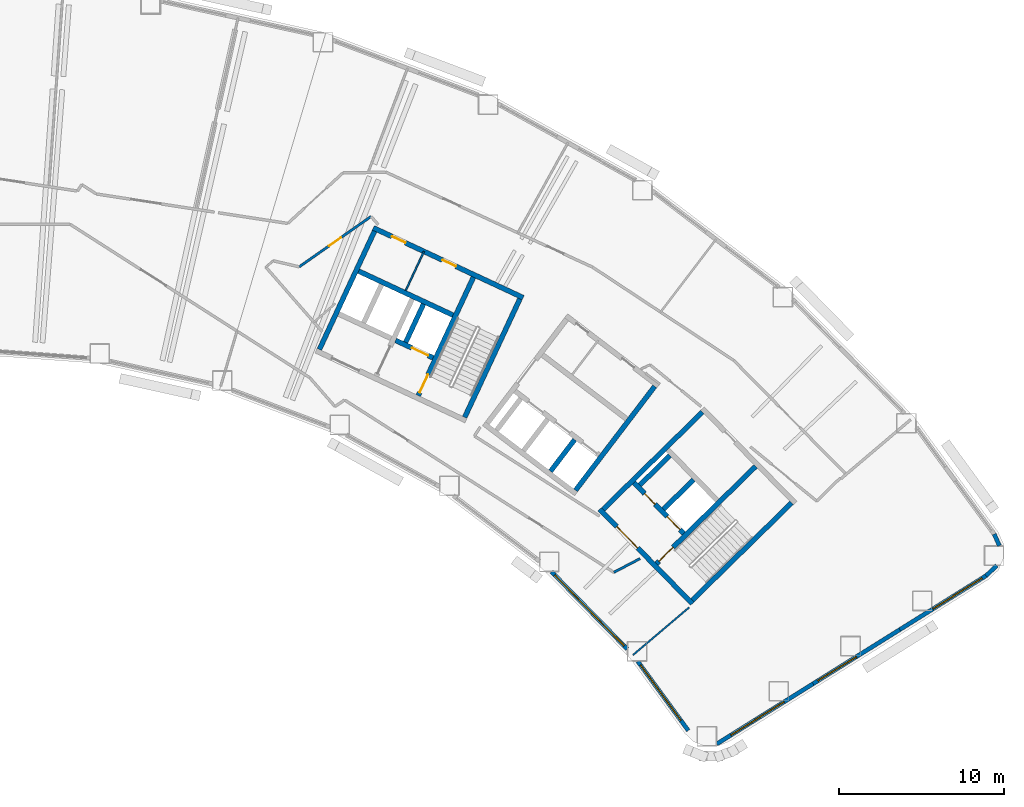
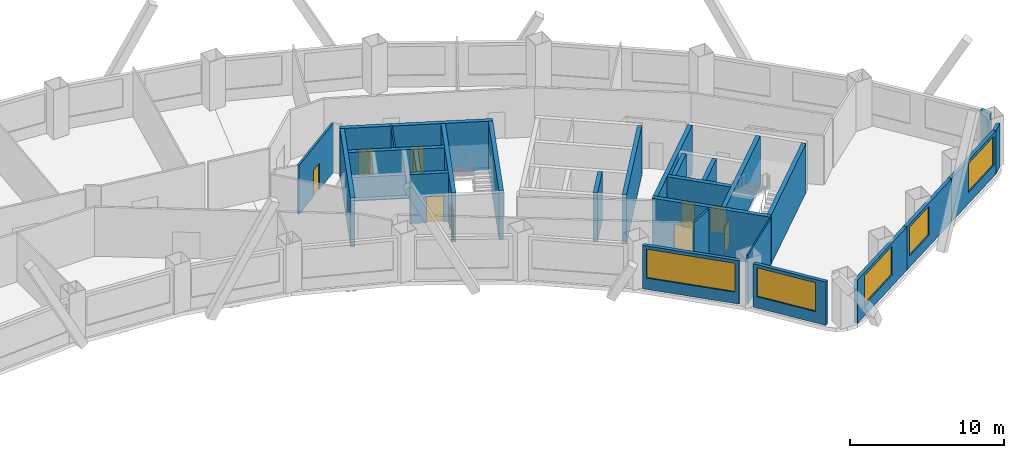
# One storey, part 6 of 11: 27 walls, 9 doors, 5 windows, 14 openings.
"""IFC4 building model written with IfcOpenShell, lengths in metres."""

import ifcopenshell
import ifcopenshell.guid

model = None  # the IFC model being written
_history = None  # IfcOwnerHistory: only IFC2X3 demands one
_inside = {}  # id of a spatial element -> (the spatial element, [elements in it])
_under = {}  # id of a project, library or spatial element -> (it, [spatial elements below it])
_declared = {}  # id of a project -> (the project, [libraries it declares])
_typed = {}  # id of a type object -> (the type object, [elements of that type])
_made_of = {}  # id of a material, layer set ... -> (it, [elements and type objects made of it])


def new_model(schema):
    """Start an empty IFC model of exactly this schema.

    Asked for "IFC4X3", IfcOpenShell would pick the latest addendum, in which some entities
    have other attributes; the version numbers below select the first issue.
    IFC2X3 requires an IfcOwnerHistory on every rooted entity: one is made here for all.
    """
    global model, _history
    if schema == "IFC4X3":
        model = ifcopenshell.file(schema_version=(4, 3, 0, 0))
    else:
        model = ifcopenshell.file(schema=schema)
    _inside.clear()
    _under.clear()
    _declared.clear()
    _typed.clear()
    _made_of.clear()
    _history = None
    if model.schema == "IFC2X3":
        org = make("IfcOrganization", Name="unknown")
        user = make(
            "IfcPersonAndOrganization",
            ThePerson=make("IfcPerson", FamilyName="unknown"),
            TheOrganization=org,
        )
        app = make(
            "IfcApplication",
            ApplicationDeveloper=org,
            Version="unknown",
            ApplicationFullName="unknown",
            ApplicationIdentifier="unknown",
        )
        _history = make(
            "IfcOwnerHistory",
            OwningUser=user,
            OwningApplication=app,
            ChangeAction="ADDED",
            CreationDate=0,
        )
    return model


def make(cls, **values):
    """One entity of the class cls with the attributes given. An attribute that is None is left unset."""
    return model.create_entity(
        cls, **{name: value for name, value in values.items() if value is not None}
    )


def rooted(cls, **values):
    """An entity with a GlobalId (a new one), such as an element, a storey or a relation."""
    return make(cls, GlobalId=ifcopenshell.guid.new(), OwnerHistory=_history, **values)


def si_unit(unit_type, name, prefix=None):
    """IfcSIUnit, for example si_unit("LENGTHUNIT", "METRE", prefix="MILLI")."""
    return make("IfcSIUnit", UnitType=unit_type, Prefix=prefix, Name=name)


def assignment(units):
    """IfcUnitAssignment: the units of a project."""
    return None if units is None else make("IfcUnitAssignment", Units=units)


def point(xyz):
    """IfcCartesianPoint."""
    return None if xyz is None else make("IfcCartesianPoint", Coordinates=xyz)


def direction(xyz):
    """IfcDirection."""
    return None if xyz is None else make("IfcDirection", DirectionRatios=xyz)


def frame(location, z_axis=None, x_axis=None):
    """IfcAxis2Placement3D, a coordinate frame: its origin and axes. An axis left out is left unset."""
    return make(
        "IfcAxis2Placement3D",
        Location=point(location),
        Axis=direction(z_axis),
        RefDirection=direction(x_axis),
    )


def frame_2d(location, x_axis=None):
    """IfcAxis2Placement2D, a coordinate frame in the plane: its origin and x axis."""
    return make(
        "IfcAxis2Placement2D", Location=point(location), RefDirection=direction(x_axis)
    )


def origin():
    """The frame at (0, 0, 0) with its axes left unset."""
    return frame((0.0, 0.0, 0.0))


def place(relative_to, where):
    """IfcLocalPlacement: puts the frame where relative to a parent placement (None: the world)."""
    return make(
        "IfcLocalPlacement", PlacementRelTo=relative_to, RelativePlacement=where
    )


def context(
    kind, dimensions, precision=None, world=None, true_north=None, identifier=None
):
    """IfcGeometricRepresentationContext, for example the 3D "Model" context."""
    return make(
        "IfcGeometricRepresentationContext",
        ContextIdentifier=identifier,
        ContextType=kind,
        CoordinateSpaceDimension=dimensions,
        Precision=precision,
        WorldCoordinateSystem=world,
        TrueNorth=true_north,
    )


def subcontext(parent, identifier, kind, view, scale=None):
    """IfcGeometricRepresentationSubContext, for example "Body" below "Model"."""
    return make(
        "IfcGeometricRepresentationSubContext",
        ContextIdentifier=identifier,
        ContextType=kind,
        ParentContext=parent,
        TargetScale=scale,
        TargetView=view,
    )


def project(units=None, contexts=None):
    """IfcProject with its units and contexts."""
    return rooted(
        "IfcProject",
        Name="project",
        RepresentationContexts=contexts,
        UnitsInContext=assignment(units),
    )


def spatial(cls, under=None, at=None, **own):
    """A site, building, storey or space (cls), placed at a placement, below another one or the project."""
    s = rooted(cls, ObjectPlacement=at, **own)
    if under is not None:
        _under.setdefault(under.id(), (under, []))[1].append(s)
    return s


def profile(cls, at=None, kind="AREA", **sizes):
    """A parametric profile (cls). Its sizes go by their IFC names, for example OverallWidth=200.0."""
    return make(cls, ProfileType=kind, Position=at, **sizes)


def rectangle(**sizes):
    """IfcRectangleProfileDef."""
    return profile("IfcRectangleProfileDef", **sizes)


def extrude(swept, where, along, depth):
    """IfcExtrudedAreaSolid: the profile swept, set in the frame where, extruded along a direction by depth."""
    return make(
        "IfcExtrudedAreaSolid",
        SweptArea=swept,
        Position=where,
        ExtrudedDirection=direction(along),
        Depth=depth,
    )


def shape(context_of_items, identifier, shape_type, items):
    """IfcShapeRepresentation: the items that make up one representation, for example the "Body"."""
    return make(
        "IfcShapeRepresentation",
        ContextOfItems=context_of_items,
        RepresentationIdentifier=identifier,
        RepresentationType=shape_type,
        Items=items,
    )


def material(Name=None, Category=None):
    """IfcMaterial."""
    return make("IfcMaterial", Name=Name, Category=Category)


def layer(
    of_material, thickness, ventilated=None, Name=None, Category=None, Priority=None
):
    """IfcMaterialLayer: one layer of a wall or slab, of a material (None: an air gap)."""
    return make(
        "IfcMaterialLayer",
        Material=of_material,
        LayerThickness=thickness,
        IsVentilated=ventilated,
        Name=Name,
        Category=Category,
        Priority=Priority,
    )


def layer_set(layers, Name=None):
    """IfcMaterialLayerSet."""
    return make("IfcMaterialLayerSet", MaterialLayers=layers, LayerSetName=Name)


def made_of(thing, what):
    """Note that an element or type object is made of a material, layer set ...; save() writes the relation."""
    if what is not None:
        _made_of.setdefault(what.id(), (what, []))[1].append(thing)
    return thing


def type_object(cls, material=None, **own):
    """A type object (cls), such as IfcWallType, which elements share."""
    return made_of(rooted(cls, **own), material)


def element(
    cls,
    number,
    at=None,
    inside=None,
    cuts=None,
    type_object=None,
    material=None,
    context=None,
    identifier="Body",
    shape_type=None,
    held_by="IfcProductDefinitionShape",
    body=None,
    shapes=None,
    **own,
):
    """One element of the class cls, such as IfcWall. Its Tag is "e" and its number.

    at: its placement. inside: the storey or other place that contains it. cuts: it is an
    opening in that element (IfcRelVoidsElement). A single representation is given by context,
    identifier, shape_type and body (its items); several are given by shapes. held_by: the class
    of the entity that holds the representations. save() writes the other relations.
    """
    e = rooted(cls, Tag="e%d" % number, ObjectPlacement=at, **own)
    if body is not None:
        shapes = [shape(context, identifier, shape_type, body)]
    if shapes is not None:
        e.Representation = make(held_by, Representations=shapes)
    if inside is not None:
        _inside.setdefault(inside.id(), (inside, []))[1].append(e)
    if cuts is not None:
        rooted(
            "IfcRelVoidsElement", RelatingBuildingElement=cuts, RelatedOpeningElement=e
        )
    if type_object is not None:
        _typed.setdefault(type_object.id(), (type_object, []))[1].append(e)
    return made_of(e, material)


def fill(opening, filler):
    """IfcRelFillsElement: the door or window that sits in an opening."""
    return rooted(
        "IfcRelFillsElement",
        RelatingOpeningElement=opening,
        RelatedBuildingElement=filler,
    )


def aggregate(whole, parts):
    """IfcRelAggregates: a whole, such as a stair, and the parts it consists of."""
    return rooted("IfcRelAggregates", RelatingObject=whole, RelatedObjects=parts)


def save(model, path):
    """Write the relations noted so far, then the file.

    IfcRelAggregates (storeys below a building ...), IfcRelContainedInSpatialStructure (elements
    in a storey), IfcRelDefinesByType, IfcRelAssociatesMaterial and IfcRelDeclares: one each for
    every whole, place, type object, material and project.
    """
    for whole, parts in _under.values():
        aggregate(whole, parts)
    for where, things in _inside.values():
        rooted(
            "IfcRelContainedInSpatialStructure",
            RelatedElements=things,
            RelatingStructure=where,
        )
    for kind, things in _typed.values():
        rooted("IfcRelDefinesByType", RelatedObjects=things, RelatingType=kind)
    for what, things in _made_of.values():
        rooted("IfcRelAssociatesMaterial", RelatedObjects=things, RelatingMaterial=what)
    for by, libraries in _declared.values():
        rooted("IfcRelDeclares", RelatingContext=by, RelatedDefinitions=libraries)
    model.write(path)


model = new_model("IFC4")

# Units and contexts
model_context = context("Model", 3, precision=1e-05, world=origin(), true_north=direction((0.0, 1.0)))
body_context = subcontext(model_context, "Body", "Model", "MODEL_VIEW")
ifc_project = project(units=[si_unit("LENGTHUNIT", "METRE"), si_unit("AREAUNIT", "SQUARE_METRE"), si_unit("VOLUMEUNIT", "CUBIC_METRE"), si_unit("PLANEANGLEUNIT", "RADIAN"), si_unit("MASSUNIT", "GRAM", prefix="KILO")], contexts=[model_context])

# Site, building, storey
site_placement = place(None, origin())
site = spatial("IfcSite", under=ifc_project, at=site_placement, CompositionType="ELEMENT")
building_placement = place(site_placement, origin())
building = spatial("IfcBuilding", under=site, at=building_placement, Name="Tuul Gate Civic Tower", CompositionType="ELEMENT")
storey_placement = place(building_placement, frame((0.0, 0.0, 65.39990234375)))
storey = spatial("IfcBuildingStorey", under=building, at=storey_placement, Name="Level 14", CompositionType="ELEMENT", Elevation=65.39990234375)

# Wall, opening, door
ifc_material_1 = material(Name="Concrete C50/60", Category="concrete")
ifc_layer_1 = layer(ifc_material_1, 0.300048828125)
ifc_layer_set_1 = layer_set([ifc_layer_1], Name="Concrete C50/60")
wall_type_1 = type_object("IfcWallType", Name="Core wall C50/60", PredefinedType="SHEAR", material=ifc_layer_set_1)
wall_1_placement = place(storey_placement, frame((48.22509765625, -18.327880859375, 0.0), z_axis=(0.0, 0.0, 1.0), x_axis=(-0.700021979774, 0.714121297703, 0.0)))
wall_1 = element("IfcWall", 1, at=wall_1_placement, inside=storey, type_object=wall_type_1, Name="Core wall", PredefinedType="SHEAR", context=body_context, shape_type="SweptSolid", body=[
    extrude(rectangle(XDim=8.0, YDim=0.300048828125, at=frame_2d((4.0, 0.0))), origin(), (0.0, 0.0, 1.0), 3.900146484375),
])
opening_1_placement = place(wall_1_placement, frame((4.72509765625, 0.0, 0.0)))
opening_1 = element("IfcOpeningElement", 2, at=opening_1_placement, cuts=wall_1, Name="Opening LB-E1-LOBBY-1", PredefinedType="OPENING", context=body_context, shape_type="SweptSolid", body=[
    extrude(rectangle(XDim=1.800048828125, YDim=2.10009765625, at=frame_2d((0.89990234375, 1.050048828125))), frame((0.0, 0.16015625, 0.0), z_axis=(0.0, -1.0, 0.0), x_axis=(1.0, 0.0, 0.0)), (0.0, 0.0, 1.0), 0.320068359375),
])
ifc_material_2 = material(Name="Steel", Category="steel")
door_type_1 = type_object("IfcDoorType", Name="Lobby door", OperationType="DOUBLE_DOOR_SINGLE_SWING", PredefinedType="DOOR", material=ifc_material_2)
door_1_placement = place(opening_1_placement, frame((1.800048828125, 0.0, 0.0), z_axis=(0.0, 0.0, 1.0), x_axis=(-1.0, 0.0, 0.0)))
door_1 = element("IfcDoor", 3, at=door_1_placement, inside=storey, type_object=door_type_1, Name="Lobby door E1-LOBBY", OperationType="DOUBLE_DOOR_SINGLE_SWING", OverallHeight=2.10009765625, OverallWidth=1.800048828125, PredefinedType="DOOR", context=body_context, shape_type="SweptSolid", body=[
    extrude(rectangle(XDim=1.800048828125, YDim=2.10009765625, at=frame_2d((0.900146484375, 1.050048828125))), frame((0.0, 0.02490234375, 0.0), z_axis=(0.0, -1.0, 0.0), x_axis=(1.0, 0.0, 0.0)), (0.0, 0.0, 1.0), 0.050048828125),
])
fill(opening_1, door_1)

# Wall, openings, doors
wall_2_placement = place(storey_placement, frame((47.701904296875, -14.079833984375, 0.0), z_axis=(0.0, 0.0, 1.0), x_axis=(-0.700002721075, 0.714140175657, 0.0)))
wall_2 = element("IfcWall", 4, at=wall_2_placement, inside=storey, type_object=wall_type_1, Name="Core wall", PredefinedType="SHEAR", context=body_context, shape_type="SweptSolid", body=[
    extrude(rectangle(XDim=4.300048828125, YDim=0.300048828125, at=frame_2d((2.14990234375, 0.0))), origin(), (0.0, 0.0, 1.0), 3.900146484375),
])
opening_2_placement = place(wall_2_placement, frame((0.324951171875, 0.0, 0.0)))
opening_2 = element("IfcOpeningElement", 5, at=opening_2_placement, cuts=wall_2, Name="Opening LD-L4", PredefinedType="OPENING", context=body_context, shape_type="SweptSolid", body=[
    extrude(rectangle(XDim=1.10009765625, YDim=2.10009765625, at=frame_2d((0.550048828125, 1.050048828125))), frame((0.0, 0.16015625, 0.0), z_axis=(0.0, -1.0, 0.0), x_axis=(1.0, 0.0, 0.0)), (0.0, 0.0, 1.0), 0.320068359375),
])
opening_3_placement = place(wall_2_placement, frame((2.47509765625, 0.0, 0.0)))
opening_3 = element("IfcOpeningElement", 6, at=opening_3_placement, cuts=wall_2, Name="Opening FB-E1A2", PredefinedType="OPENING", context=body_context, shape_type="SweptSolid", body=[
    extrude(rectangle(XDim=0.89990234375, YDim=2.10009765625, at=frame_2d((0.449951171875, 1.050048828125))), frame((0.0, 0.16015625, 0.0), z_axis=(0.0, -1.0, 0.0), x_axis=(1.0, 0.0, 0.0)), (0.0, 0.0, 1.0), 0.320068359375),
])
ifc_material_3 = material(Name="Stainless steel", Category="steel")
door_type_2 = type_object("IfcDoorType", Name="Landing door", OperationType="DOUBLE_DOOR_SLIDING", PredefinedType="DOOR", material=ifc_material_3)
door_2_placement = place(opening_2_placement, origin())
door_2 = element("IfcDoor", 7, at=door_2_placement, inside=storey, type_object=door_type_2, Name="Low-rise lift L4 landing door", OperationType="DOUBLE_DOOR_SLIDING", OverallHeight=2.10009765625, OverallWidth=1.10009765625, PredefinedType="DOOR", context=body_context, shape_type="SweptSolid", body=[
    extrude(rectangle(XDim=1.10009765625, YDim=2.10009765625, at=frame_2d((0.550048828125, 1.050048828125))), frame((0.0, 0.02490234375, 0.0), z_axis=(0.0, -1.0, 0.0), x_axis=(1.0, 0.0, 0.0)), (0.0, 0.0, 1.0), 0.050048828125),
])
fill(opening_2, door_2)
ifc_material_4 = material(Name="Steel", Category="steel")
door_type_3 = type_object("IfcDoorType", Name="Store door", OperationType="NOTDEFINED", PredefinedType="DOOR", material=ifc_material_4)
door_3_placement = place(opening_3_placement, frame((0.89990234375, 0.0, 0.0), z_axis=(0.0, 0.0, 1.0), x_axis=(-1.0, 0.0, 0.0)))
door_3 = element("IfcDoor", 8, at=door_3_placement, inside=storey, type_object=door_type_3, Name="Store door E1A2", OperationType="SINGLE_SWING_LEFT", OverallHeight=2.10009765625, OverallWidth=0.89990234375, PredefinedType="DOOR", context=body_context, shape_type="SweptSolid", body=[
    extrude(rectangle(XDim=0.89990234375, YDim=2.10009765625, at=frame_2d((0.449951171875, 1.050048828125))), frame((0.0, 0.02490234375, 0.0), z_axis=(0.0, -1.0, 0.0), x_axis=(1.0, 0.0, 0.0)), (0.0, 0.0, 1.0), 0.050048828125),
])
fill(opening_3, door_3)

# Wall
wall_3_placement = place(storey_placement, frame((48.227294921875, -18.115966796875, 0.0), z_axis=(0.0, 0.0, 1.0), x_axis=(0.714105315431, 0.700038283577, 0.0)))
element("IfcWall", 9, at=wall_3_placement, inside=storey, type_object=wall_type_1, Name="Core wall", PredefinedType="SHEAR", context=body_context, shape_type="SweptSolid", body=[
    extrude(rectangle(XDim=8.400146484375, YDim=0.300048828125, at=frame_2d((4.2001953125, 0.0))), origin(), (0.0, 0.0, 1.0), 3.900146484375),
])

# Wall, opening, door
wall_4_placement = place(storey_placement, frame((46.05712890625, -15.902099609375, 0.0), z_axis=(0.0, 0.0, 1.0), x_axis=(0.714134086973, 0.700008932674, 0.0)))
wall_4 = element("IfcWall", 10, at=wall_4_placement, inside=storey, type_object=wall_type_1, Name="Core wall", PredefinedType="SHEAR", context=body_context, shape_type="SweptSolid", body=[
    extrude(rectangle(XDim=8.400146484375, YDim=0.300048828125, at=frame_2d((4.2001953125, 0.0))), origin(), (0.0, 0.0, 1.0), 3.900146484375),
])
opening_4_placement = place(wall_4_placement, frame((0.199951171875, 0.0, 0.0)))
opening_4 = element("IfcOpeningElement", 11, at=opening_4_placement, cuts=wall_4, Name="Opening SD-ST-3", PredefinedType="OPENING", context=body_context, shape_type="SweptSolid", body=[
    extrude(rectangle(XDim=1.199951171875, YDim=2.10009765625, at=frame_2d((0.60009765625, 1.050048828125))), frame((0.0, 0.16015625, 0.0), z_axis=(0.0, -1.0, 0.0), x_axis=(1.0, 0.0, 0.0)), (0.0, 0.0, 1.0), 0.320068359375),
])
ifc_material_5 = material(Name="Steel", Category="steel")
door_type_4 = type_object("IfcDoorType", Name="Stair door", OperationType="NOTDEFINED", PredefinedType="DOOR", material=ifc_material_5)
door_4_placement = place(opening_4_placement, origin())
door_4 = element("IfcDoor", 12, at=door_4_placement, inside=storey, type_object=door_type_4, Name="Stair door ST-3", OperationType="SINGLE_SWING_LEFT", OverallHeight=2.10009765625, OverallWidth=1.199951171875, PredefinedType="DOOR", context=body_context, shape_type="SweptSolid", body=[
    extrude(rectangle(XDim=1.199951171875, YDim=2.10009765625, at=frame_2d((0.60009765625, 1.050048828125))), frame((0.0, 0.02490234375, 0.0), z_axis=(0.0, -1.0, 0.0), x_axis=(1.0, 0.0, 0.0)), (0.0, 0.0, 1.0), 0.050048828125),
])
fill(opening_4, door_4)

# Walls
wall_5_placement = place(storey_placement, frame((46.47900390625, -12.617919921875, 0.0), z_axis=(0.0, 0.0, 1.0), x_axis=(0.71410944159, 0.700034074479, 0.0)))
element("IfcWall", 13, at=wall_5_placement, inside=storey, type_object=wall_type_1, Name="Core wall", PredefinedType="SHEAR", context=body_context, shape_type="SweptSolid", body=[
    extrude(rectangle(XDim=2.5498046875, YDim=0.300048828125, at=frame_2d((1.27490234375, 0.0))), origin(), (0.0, 0.0, 1.0), 3.900146484375),
])
wall_6_placement = place(storey_placement, frame((45.0439453125, -11.154052734375, 0.0), z_axis=(0.0, 0.0, 1.0), x_axis=(0.714108498262, 0.700035036773, 0.0)))
element("IfcWall", 14, at=wall_6_placement, inside=storey, type_object=wall_type_1, Name="Core wall", PredefinedType="SHEAR", context=body_context, shape_type="SweptSolid", body=[
    extrude(rectangle(XDim=2.550048828125, YDim=0.300048828125, at=frame_2d((1.27490234375, 0.0))), origin(), (0.0, 0.0, 1.0), 3.900146484375),
])
wall_7_placement = place(storey_placement, frame((42.837158203125, -12.616943359375, 0.0), z_axis=(0.0, 0.0, 1.0), x_axis=(0.714119844755, 0.700023461983, 0.0)))
element("IfcWall", 15, at=wall_7_placement, inside=storey, type_object=wall_type_1, Name="Core wall", PredefinedType="SHEAR", context=body_context, shape_type="SweptSolid", body=[
    extrude(rectangle(XDim=8.39990234375, YDim=0.300048828125, at=frame_2d((4.199951171875, 0.0))), origin(), (0.0, 0.0, 1.0), 3.900146484375),
])

# Wall, opening, door
wall_8_placement = place(storey_placement, frame((32.545654296875, -3.456787109375, 0.0), z_axis=(0.0, 0.0, 1.0), x_axis=(-0.906300357825, 0.42263419337, 0.0)))
wall_8 = element("IfcWall", 16, at=wall_8_placement, inside=storey, type_object=wall_type_1, Name="Core wall", PredefinedType="SHEAR", context=body_context, shape_type="SweptSolid", body=[
    extrude(rectangle(XDim=2.500244140625, YDim=0.300048828125, at=frame_2d((1.25, 0.0))), origin(), (0.0, 0.0, 1.0), 3.900146484375),
])
opening_5_placement = place(wall_8_placement, frame((0.324951171875, 0.0, 0.0)))
opening_5 = element("IfcOpeningElement", 17, at=opening_5_placement, cuts=wall_8, Name="Opening LD-FF-2", PredefinedType="OPENING", context=body_context, shape_type="SweptSolid", body=[
    extrude(rectangle(XDim=1.10009765625, YDim=2.10009765625, at=frame_2d((0.550048828125, 1.050048828125))), frame((0.0, 0.16015625, 0.0), z_axis=(0.0, -1.0, 0.0), x_axis=(1.0, 0.0, 0.0)), (0.0, 0.0, 1.0), 0.320068359375),
])
door_5_placement = place(opening_5_placement, origin())
door_5 = element("IfcDoor", 18, at=door_5_placement, inside=storey, type_object=door_type_2, Name="Fire-fighting lift FF-2 landing door", OperationType="DOUBLE_DOOR_SLIDING", OverallHeight=2.10009765625, OverallWidth=1.10009765625, PredefinedType="DOOR", context=body_context, shape_type="SweptSolid", body=[
    extrude(rectangle(XDim=1.10009765625, YDim=2.10009765625, at=frame_2d((0.550048828125, 1.050048828125))), frame((0.0, 0.02490234375, 0.0), z_axis=(0.0, -1.0, 0.0), x_axis=(1.0, 0.0, 0.0)), (0.0, 0.0, 1.0), 0.050048828125),
])
fill(opening_5, door_5)

# Wall
wall_9_placement = place(storey_placement, frame((33.75, -0.873779296875, 0.0), z_axis=(0.0, 0.0, 1.0), x_axis=(-0.906300917592, 0.422632992999, 0.0)))
element("IfcWall", 19, at=wall_9_placement, inside=storey, type_object=wall_type_1, Name="Core wall", PredefinedType="SHEAR", context=body_context, shape_type="SweptSolid", body=[
    extrude(rectangle(XDim=6.300048828125, YDim=0.300048828125, at=frame_2d((3.14990234375, 0.0))), origin(), (0.0, 0.0, 1.0), 3.900146484375),
])

# Wall, openings, doors
wall_10_placement = place(storey_placement, frame((37.993408203125, 0.181884765625, 0.0), z_axis=(0.0, 0.0, 1.0), x_axis=(-0.906310338845, 0.422612789327, 0.0)))
wall_10 = element("IfcWall", 20, at=wall_10_placement, inside=storey, type_object=wall_type_1, Name="Core wall", PredefinedType="SHEAR", context=body_context, shape_type="SweptSolid", body=[
    extrude(rectangle(XDim=9.999755859375, YDim=0.300048828125, at=frame_2d((5.0, 0.0))), origin(), (0.0, 0.0, 1.0), 3.900146484375),
])
opening_6_placement = place(wall_10_placement, frame((4.487548828125, 0.0, 0.0)))
opening_6 = element("IfcOpeningElement", 21, at=opening_6_placement, cuts=wall_10, Name="Opening D-D27", PredefinedType="OPENING", context=body_context, shape_type="SweptSolid", body=[
    extrude(rectangle(XDim=0.89990234375, YDim=2.10009765625, at=frame_2d((0.449951171875, 1.050048828125))), frame((0.0, 0.16015625, 0.0), z_axis=(0.0, -1.0, 0.0), x_axis=(1.0, 0.0, 0.0)), (0.0, 0.0, 1.0), 0.320068359375),
])
opening_7_placement = place(wall_10_placement, frame((7.862548828125, 0.0, 0.0)))
opening_7 = element("IfcOpeningElement", 22, at=opening_7_placement, cuts=wall_10, Name="Opening D-D28", PredefinedType="OPENING", context=body_context, shape_type="SweptSolid", body=[
    extrude(rectangle(XDim=0.89990234375, YDim=2.10009765625, at=frame_2d((0.449951171875, 1.050048828125))), frame((0.0, 0.16015625, 0.0), z_axis=(0.0, -1.0, 0.0), x_axis=(1.0, 0.0, 0.0)), (0.0, 0.0, 1.0), 0.320068359375),
])
ifc_material_6 = material(Name="Timber door leaf", Category="wood")
door_type_5 = type_object("IfcDoorType", Name="Door D09", OperationType="NOTDEFINED", PredefinedType="DOOR", material=ifc_material_6)
door_6_placement = place(opening_6_placement, origin())
door_6 = element("IfcDoor", 23, at=door_6_placement, inside=storey, type_object=door_type_5, Name="Door D-D27", OperationType="SINGLE_SWING_LEFT", OverallHeight=2.10009765625, OverallWidth=0.89990234375, PredefinedType="DOOR", context=body_context, shape_type="SweptSolid", body=[
    extrude(rectangle(XDim=0.89990234375, YDim=2.10009765625, at=frame_2d((0.449951171875, 1.050048828125))), frame((0.0, 0.02490234375, 0.0), z_axis=(0.0, -1.0, 0.0), x_axis=(1.0, 0.0, 0.0)), (0.0, 0.0, 1.0), 0.050048828125),
])
fill(opening_6, door_6)
door_7_placement = place(opening_7_placement, origin())
door_7 = element("IfcDoor", 24, at=door_7_placement, inside=storey, type_object=door_type_5, Name="Door D-D28", OperationType="SINGLE_SWING_RIGHT", OverallHeight=2.10009765625, OverallWidth=0.89990234375, PredefinedType="DOOR", context=body_context, shape_type="SweptSolid", body=[
    extrude(rectangle(XDim=0.89990234375, YDim=2.10009765625, at=frame_2d((0.449951171875, 1.050048828125))), frame((0.0, 0.02490234375, 0.0), z_axis=(0.0, -1.0, 0.0), x_axis=(1.0, 0.0, 0.0)), (0.0, 0.0, 1.0), 0.050048828125),
])
fill(opening_7, door_7)

# Wall
wall_11_placement = place(storey_placement, frame((34.455810546875, -7.05078125, 0.0), z_axis=(0.0, 0.0, 1.0), x_axis=(0.422570768258, 0.906329932096, 0.0)))
element("IfcWall", 25, at=wall_11_placement, inside=storey, type_object=wall_type_1, Name="Core wall", PredefinedType="SHEAR", context=body_context, shape_type="SweptSolid", body=[
    extrude(rectangle(XDim=7.900146484375, YDim=0.300048828125, at=frame_2d((3.9501953125, 0.0))), origin(), (0.0, 0.0, 1.0), 3.900146484375),
])

# Wall, opening, door
wall_12_placement = place(storey_placement, frame((31.646240234375, -5.740478515625, 0.0), z_axis=(0.0, 0.0, 1.0), x_axis=(0.422582604137, 0.906324413596, 0.0)))
wall_12 = element("IfcWall", 26, at=wall_12_placement, inside=storey, type_object=wall_type_1, Name="Core wall", PredefinedType="SHEAR", context=body_context, shape_type="SweptSolid", body=[
    extrude(rectangle(XDim=7.89990234375, YDim=0.300048828125, at=frame_2d((3.949951171875, 0.0))), origin(), (0.0, 0.0, 1.0), 3.900146484375),
])
opening_8_placement = place(wall_12_placement, frame((0.199951171875, 0.0, 0.0)))
opening_8 = element("IfcOpeningElement", 27, at=opening_8_placement, cuts=wall_12, Name="Opening SD-ST-4", PredefinedType="OPENING", context=body_context, shape_type="SweptSolid", body=[
    extrude(rectangle(XDim=1.199951171875, YDim=2.10009765625, at=frame_2d((0.60009765625, 1.050048828125))), frame((0.0, 0.16015625, 0.0), z_axis=(0.0, -1.0, 0.0), x_axis=(1.0, 0.0, 0.0)), (0.0, 0.0, 1.0), 0.320068359375),
])
door_8_placement = place(opening_8_placement, origin())
door_8 = element("IfcDoor", 28, at=door_8_placement, inside=storey, type_object=door_type_4, Name="Stair door ST-4", OperationType="SINGLE_SWING_LEFT", OverallHeight=2.10009765625, OverallWidth=1.199951171875, PredefinedType="DOOR", context=body_context, shape_type="SweptSolid", body=[
    extrude(rectangle(XDim=1.199951171875, YDim=2.10009765625, at=frame_2d((0.60009765625, 1.050048828125))), frame((0.0, 0.02490234375, 0.0), z_axis=(0.0, -1.0, 0.0), x_axis=(1.0, 0.0, 0.0)), (0.0, 0.0, 1.0), 0.050048828125),
])
fill(opening_8, door_8)

# Walls
wall_13_placement = place(storey_placement, frame((30.886962890625, -2.517822265625, 0.0), z_axis=(0.0, 0.0, 1.0), x_axis=(0.422612891016, 0.906310291427, 0.0)))
element("IfcWall", 29, at=wall_13_placement, inside=storey, type_object=wall_type_1, Name="Core wall", PredefinedType="SHEAR", context=body_context, shape_type="SweptSolid", body=[
    extrude(rectangle(XDim=2.550048828125, YDim=0.300048828125, at=frame_2d((1.27490234375, 0.0))), origin(), (0.0, 0.0, 1.0), 3.900146484375),
])
wall_14_placement = place(storey_placement, frame((25.66455078125, -2.951416015625, 0.0), z_axis=(0.0, 0.0, 1.0), x_axis=(0.422582604137, 0.906324413596, 0.0)))
element("IfcWall", 30, at=wall_14_placement, inside=storey, type_object=wall_type_1, Name="Core wall", PredefinedType="SHEAR", context=body_context, shape_type="SweptSolid", body=[
    extrude(rectangle(XDim=7.89990234375, YDim=0.300048828125, at=frame_2d((3.949951171875, 0.0))), origin(), (0.0, 0.0, 1.0), 3.900146484375),
])
ifc_material_7 = material(Name="Gypsum board partition")
ifc_layer_2 = layer(ifc_material_7, 0.14990234375)
ifc_layer_set_2 = layer_set([ifc_layer_2], Name="Gypsum board partition")
wall_type_2 = type_object("IfcWallType", Name="Corridor wall P150", PredefinedType="PARTITIONING", material=ifc_layer_set_2)
wall_15_placement = place(storey_placement, frame((43.478515625, -16.432373046875, 0.0), z_axis=(0.0, 0.0, 1.0), x_axis=(0.885530725101, 0.464580816331, 0.0)))
element("IfcWall", 31, at=wall_15_placement, inside=storey, type_object=wall_type_2, Name="p041", PredefinedType="PARTITIONING", context=body_context, shape_type="SweptSolid", body=[
    extrude(rectangle(XDim=1.796142578125, YDim=0.14990234375, at=frame_2d((0.89794921875, 0.0))), origin(), (0.0, 0.0, 1.0), 3.900146484375),
])

# Wall, opening, door
wall_16_placement = place(storey_placement, frame((24.44482421875, 2.0478515625, 0.0), z_axis=(0.0, 0.0, 1.0), x_axis=(0.818767170026, 0.574125701644, 0.0)))
wall_16 = element("IfcWall", 32, at=wall_16_placement, inside=storey, type_object=wall_type_2, Name="p057", PredefinedType="PARTITIONING", context=body_context, shape_type="SweptSolid", body=[
    extrude(rectangle(XDim=5.30908203125, YDim=0.14990234375, at=frame_2d((2.654541015625, 0.0))), origin(), (0.0, 0.0, 1.0), 3.900146484375),
])
opening_9_placement = place(wall_16_placement, frame((2.20458984375, 0.0, 0.0)))
opening_9 = element("IfcOpeningElement", 33, at=opening_9_placement, cuts=wall_16, Name="Opening D-D18", PredefinedType="OPENING", context=body_context, shape_type="SweptSolid", body=[
    extrude(rectangle(XDim=0.89990234375, YDim=2.10009765625, at=frame_2d((0.449951171875, 1.050048828125))), frame((0.0, 0.0849609375, 0.0), z_axis=(0.0, -1.0, 0.0), x_axis=(1.0, 0.0, 0.0)), (0.0, 0.0, 1.0), 0.169921875),
])
door_9_placement = place(opening_9_placement, frame((0.89990234375, 0.0, 0.0), z_axis=(0.0, 0.0, 1.0), x_axis=(-1.0, 0.0, 0.0)))
door_9 = element("IfcDoor", 34, at=door_9_placement, inside=storey, type_object=door_type_5, Name="Door D-D18", OperationType="SINGLE_SWING_LEFT", OverallHeight=2.10009765625, OverallWidth=0.89990234375, PredefinedType="DOOR", context=body_context, shape_type="SweptSolid", body=[
    extrude(rectangle(XDim=0.89990234375, YDim=2.10009765625, at=frame_2d((0.449951171875, 1.050048828125))), frame((0.0, 0.02490234375, 0.0), z_axis=(0.0, -1.0, 0.0), x_axis=(1.0, 0.0, 0.0)), (0.0, 0.0, 1.0), 0.050048828125),
])
fill(opening_9, door_9)

# Walls
ifc_material_8 = material(Name="Precast concrete C40/50", Category="concrete")
ifc_layer_3 = layer(ifc_material_8, 0.25)
ifc_layer_set_3 = layer_set([ifc_layer_3], Name="Precast concrete C40/50")
wall_type_3 = type_object("IfcWallType", Name="External wall", PredefinedType="STANDARD", material=ifc_layer_set_3)
wall_17_placement = place(storey_placement, frame((65.99853515625, -16.634765625, 0.0), z_axis=(0.0, 0.0, 1.0), x_axis=(0.722211506859, 0.691672277426, 0.0)))
element("IfcWall", 35, at=wall_17_placement, inside=storey, type_object=wall_type_3, Name="External wall", PredefinedType="STANDARD", context=body_context, shape_type="SweptSolid", body=[
    extrude(rectangle(XDim=0.887451171875, YDim=0.25, at=frame_2d((0.44384765625, 0.0))), origin(), (0.0, 0.0, 1.0), 3.4501953125),
])
wall_18_placement = place(storey_placement, frame((66.803955078125, -14.821044921875, 0.0), z_axis=(0.0, 0.0, 1.0), x_axis=(-0.412280175097, 0.911057109748, 0.0)))
element("IfcWall", 36, at=wall_18_placement, inside=storey, type_object=wall_type_3, Name="External wall", PredefinedType="STANDARD", context=body_context, shape_type="SweptSolid", body=[
    extrude(rectangle(XDim=0.7734375, YDim=0.25, at=frame_2d((0.38671875, 0.0))), origin(), (0.0, 0.0, 1.0), 3.4501953125),
])

# Wall, opening, window
wall_19_placement = place(storey_placement, frame((39.70703125, -16.39599609375, 0.0), z_axis=(0.0, 0.0, 1.0), x_axis=(0.700096771337, -0.714047975114, 0.0)))
wall_19 = element("IfcWall", 37, at=wall_19_placement, inside=storey, type_object=wall_type_3, Name="External wall", PredefinedType="STANDARD", context=body_context, shape_type="SweptSolid", body=[
    extrude(rectangle(XDim=6.544921875, YDim=0.25, at=frame_2d((3.2724609375, 0.0))), origin(), (0.0, 0.0, 1.0), 3.4501953125),
])
opening_10_placement = place(wall_19_placement, frame((0.27490234375, 0.0, 0.89990234375)))
opening_10 = element("IfcOpeningElement", 38, at=opening_10_placement, cuts=wall_19, Name="Opening W26", PredefinedType="OPENING", context=body_context, shape_type="SweptSolid", body=[
    extrude(rectangle(XDim=6.0, YDim=2.300048828125, at=frame_2d((3.0, 1.14990234375))), frame((0.0, 0.135009765625, 0.0), z_axis=(0.0, -1.0, 0.0), x_axis=(1.0, 0.0, 0.0)), (0.0, 0.0, 1.0), 0.27001953125),
])
ifc_material_9 = material(Name="Glass", Category="glass")
window_type_1 = type_object("IfcWindowType", Name="Window W26 6000 x 2300", PartitioningType="SINGLE_PANEL", PredefinedType="WINDOW", material=ifc_material_9)
window_1_placement = place(opening_10_placement, origin())
window_1 = element("IfcWindow", 39, at=window_1_placement, inside=storey, type_object=window_type_1, Name="Window", OverallHeight=2.300048828125, OverallWidth=6.0, PartitioningType="SINGLE_PANEL", PredefinedType="WINDOW", context=body_context, shape_type="SweptSolid", body=[
    extrude(rectangle(XDim=6.0, YDim=2.300048828125, at=frame_2d((3.0, 1.14990234375))), frame((0.0, 0.030029296875, 0.0), z_axis=(0.0, -1.0, 0.0), x_axis=(1.0, 0.0, 0.0)), (0.0, 0.0, 1.0), 0.06005859375),
])
fill(opening_10, window_1)

wall_20_placement = place(storey_placement, frame((44.925537109375, -21.818115234375, 0.0), z_axis=(0.0, 0.0, 1.0), x_axis=(0.589865366451, -0.807501609572, 0.0)))
wall_20 = element("IfcWall", 40, at=wall_20_placement, inside=storey, type_object=wall_type_3, Name="External wall", PredefinedType="STANDARD", context=body_context, shape_type="SweptSolid", body=[
    extrude(rectangle(XDim=5.181396484375, YDim=0.25, at=frame_2d((2.5908203125, 0.0))), origin(), (0.0, 0.0, 1.0), 3.4501953125),
])
opening_11_placement = place(wall_20_placement, frame((0.27880859375, 0.0, 0.89990234375)))
opening_11 = element("IfcOpeningElement", 41, at=opening_11_placement, cuts=wall_20, Name="Opening W25", PredefinedType="OPENING", context=body_context, shape_type="SweptSolid", body=[
    extrude(rectangle(XDim=4.14990234375, YDim=2.300048828125, at=frame_2d((2.074951171875, 1.14990234375))), frame((0.0, 0.135009765625, 0.0), z_axis=(0.0, -1.0, 0.0), x_axis=(1.0, 0.0, 0.0)), (0.0, 0.0, 1.0), 0.27001953125),
])
ifc_material_10 = material(Name="Glass", Category="glass")
window_type_2 = type_object("IfcWindowType", Name="Window W25 4150 x 2300", PartitioningType="SINGLE_PANEL", PredefinedType="WINDOW", material=ifc_material_10)
window_2_placement = place(opening_11_placement, origin())
window_2 = element("IfcWindow", 42, at=window_2_placement, inside=storey, type_object=window_type_2, Name="Window", OverallHeight=2.300048828125, OverallWidth=4.14990234375, PartitioningType="SINGLE_PANEL", PredefinedType="WINDOW", context=body_context, shape_type="SweptSolid", body=[
    extrude(rectangle(XDim=4.14990234375, YDim=2.300048828125, at=frame_2d((2.074951171875, 1.14990234375))), frame((0.0, 0.030029296875, 0.0), z_axis=(0.0, -1.0, 0.0), x_axis=(1.0, 0.0, 0.0)), (0.0, 0.0, 1.0), 0.06005859375),
])
fill(opening_11, window_2)

wall_21_placement = place(storey_placement, frame((49.708984375, -26.810302734375, 0.0), z_axis=(0.0, 0.0, 1.0), x_axis=(0.848044243862, 0.529925429144, 0.0)))
wall_21 = element("IfcWall", 43, at=wall_21_placement, inside=storey, type_object=wall_type_3, Name="External wall", PredefinedType="STANDARD", context=body_context, shape_type="SweptSolid", body=[
    extrude(rectangle(XDim=6.866455078125, YDim=0.25, at=frame_2d((3.43310546875, 0.0))), origin(), (0.0, 0.0, 1.0), 3.4501953125),
])
opening_12_placement = place(wall_21_placement, frame((1.0, 0.0, 0.89990234375)))
opening_12 = element("IfcOpeningElement", 44, at=opening_12_placement, cuts=wall_21, Name="Opening W100", PredefinedType="OPENING", context=body_context, shape_type="SweptSolid", body=[
    extrude(rectangle(XDim=3.800048828125, YDim=2.300048828125, at=frame_2d((1.89990234375, 1.14990234375))), frame((0.0, 0.135009765625, 0.0), z_axis=(0.0, -1.0, 0.0), x_axis=(1.0, 0.0, 0.0)), (0.0, 0.0, 1.0), 0.27001953125),
])
ifc_material_11 = material(Name="Glass", Category="glass")
window_type_3 = type_object("IfcWindowType", Name="Window W100 3800 x 2300", PartitioningType="SINGLE_PANEL", PredefinedType="WINDOW", material=ifc_material_11)
window_3_placement = place(opening_12_placement, origin())
window_3 = element("IfcWindow", 45, at=window_3_placement, inside=storey, type_object=window_type_3, Name="Window", OverallHeight=2.300048828125, OverallWidth=3.800048828125, PartitioningType="SINGLE_PANEL", PredefinedType="WINDOW", context=body_context, shape_type="SweptSolid", body=[
    extrude(rectangle(XDim=3.800048828125, YDim=2.300048828125, at=frame_2d((1.89990234375, 1.14990234375))), frame((0.0, 0.030029296875, 0.0), z_axis=(0.0, -1.0, 0.0), x_axis=(1.0, 0.0, 0.0)), (0.0, 0.0, 1.0), 0.06005859375),
])
fill(opening_12, window_3)

wall_22_placement = place(storey_placement, frame((55.531982421875, -23.171630859375, 0.0), z_axis=(0.0, 0.0, 1.0), x_axis=(0.848053758074, 0.529910203164, 0.0)))
wall_22 = element("IfcWall", 46, at=wall_22_placement, inside=storey, type_object=wall_type_3, Name="External wall", PredefinedType="STANDARD", context=body_context, shape_type="SweptSolid", body=[
    extrude(rectangle(XDim=6.182861328125, YDim=0.25, at=frame_2d((3.09130859375, 0.0))), origin(), (0.0, 0.0, 1.0), 3.4501953125),
])
opening_13_placement = place(wall_22_placement, frame((0.330078125, 0.0, 0.89990234375)))
opening_13 = element("IfcOpeningElement", 47, at=opening_13_placement, cuts=wall_22, Name="Opening W30", PredefinedType="OPENING", context=body_context, shape_type="SweptSolid", body=[
    extrude(rectangle(XDim=2.75, YDim=2.300048828125, at=frame_2d((1.375, 1.14990234375))), frame((0.0, 0.135009765625, 0.0), z_axis=(0.0, -1.0, 0.0), x_axis=(1.0, 0.0, 0.0)), (0.0, 0.0, 1.0), 0.27001953125),
])
ifc_material_12 = material(Name="Glass", Category="glass")
window_type_4 = type_object("IfcWindowType", Name="Window 2750 x 2300", PartitioningType="SINGLE_PANEL", PredefinedType="WINDOW", material=ifc_material_12)
window_4_placement = place(opening_13_placement, origin())
window_4 = element("IfcWindow", 48, at=window_4_placement, inside=storey, type_object=window_type_4, Name="Window", OverallHeight=2.300048828125, OverallWidth=2.75, PartitioningType="SINGLE_PANEL", PredefinedType="WINDOW", context=body_context, shape_type="SweptSolid", body=[
    extrude(rectangle(XDim=2.75, YDim=2.300048828125, at=frame_2d((1.375, 1.14990234375))), frame((0.0, 0.030029296875, 0.0), z_axis=(0.0, -1.0, 0.0), x_axis=(1.0, 0.0, 0.0)), (0.0, 0.0, 1.0), 0.06005859375),
])
fill(opening_13, window_4)

wall_23_placement = place(storey_placement, frame((60.775390625, -19.895263671875, 0.0), z_axis=(0.0, 0.0, 1.0), x_axis=(0.848053758074, 0.529910203164, 0.0)))
wall_23 = element("IfcWall", 49, at=wall_23_placement, inside=storey, type_object=wall_type_3, Name="External wall", PredefinedType="STANDARD", context=body_context, shape_type="SweptSolid", body=[
    extrude(rectangle(XDim=6.182861328125, YDim=0.25, at=frame_2d((3.09130859375, 0.0))), origin(), (0.0, 0.0, 1.0), 3.4501953125),
])
opening_14_placement = place(wall_23_placement, frame((2.364013671875, 0.0, 0.89990234375)))
opening_14 = element("IfcOpeningElement", 50, at=opening_14_placement, cuts=wall_23, Name="Opening W74", PredefinedType="OPENING", context=body_context, shape_type="SweptSolid", body=[
    extrude(rectangle(XDim=3.5, YDim=2.300048828125, at=frame_2d((1.75, 1.14990234375))), frame((0.0, 0.135009765625, 0.0), z_axis=(0.0, -1.0, 0.0), x_axis=(1.0, 0.0, 0.0)), (0.0, 0.0, 1.0), 0.27001953125),
])
ifc_material_13 = material(Name="Glass", Category="glass")
window_type_5 = type_object("IfcWindowType", Name="Window 3500 x 2300", PartitioningType="SINGLE_PANEL", PredefinedType="WINDOW", material=ifc_material_13)
window_5_placement = place(opening_14_placement, origin())
window_5 = element("IfcWindow", 51, at=window_5_placement, inside=storey, type_object=window_type_5, Name="Window", OverallHeight=2.300048828125, OverallWidth=3.5, PartitioningType="SINGLE_PANEL", PredefinedType="WINDOW", context=body_context, shape_type="SweptSolid", body=[
    extrude(rectangle(XDim=3.5, YDim=2.300048828125, at=frame_2d((1.75, 1.14990234375))), frame((0.0, 0.030029296875, 0.0), z_axis=(0.0, -1.0, 0.0), x_axis=(1.0, 0.0, 0.0)), (0.0, 0.0, 1.0), 0.06005859375),
])
fill(opening_14, window_5)

# Walls
ifc_material_14 = material(Name="Concrete C40/50", Category="concrete")
ifc_layer_4 = layer(ifc_material_14, 0.300048828125)
ifc_layer_set_4 = layer_set([ifc_layer_4], Name="Concrete C40/50")
wall_type_4 = type_object("IfcWallType", Name="Lift shaft wall C40/50", PredefinedType="STANDARD", material=ifc_layer_set_4)
wall_24_placement = place(storey_placement, frame((41.163330078125, -11.46728515625, 0.0), z_axis=(0.0, 0.0, 1.0), x_axis=(0.605784332699, 0.795628897324, 0.0)))
element("IfcWall", 52, at=wall_24_placement, inside=storey, type_object=wall_type_4, Name="Shaft wall", PredefinedType="STANDARD", context=body_context, shape_type="SweptSolid", body=[
    extrude(rectangle(XDim=7.89990234375, YDim=0.300048828125, at=frame_2d((3.949951171875, 0.0))), origin(), (0.0, 0.0, 1.0), 3.900146484375),
])
wall_25_placement = place(storey_placement, frame((39.65185546875, -10.31640625, 0.0), z_axis=(0.0, 0.0, 1.0), x_axis=(0.605745892068, 0.79565816419, 0.0)))
element("IfcWall", 53, at=wall_25_placement, inside=storey, type_object=wall_type_4, Name="Shaft wall", PredefinedType="STANDARD", context=body_context, shape_type="SweptSolid", body=[
    extrude(rectangle(XDim=2.400146484375, YDim=0.300048828125, at=frame_2d((1.2001953125, 0.0))), origin(), (0.0, 0.0, 1.0), 3.900146484375),
])
ifc_material_15 = material(Name="Gypsum board partition")
ifc_layer_5 = layer(ifc_material_15, 0.10009765625)
ifc_layer_set_5 = layer_set([ifc_layer_5], Name="Gypsum board partition")
wall_type_5 = type_object("IfcWallType", Name="Partition P100", PredefinedType="PARTITIONING", material=ifc_layer_set_5)
wall_26_placement = place(storey_placement, frame((44.636962890625, -21.431396484375, 0.0), z_axis=(0.0, 0.0, 1.0), x_axis=(0.762857043272, 0.646567190267, 0.0)))
element("IfcWall", 54, at=wall_26_placement, inside=storey, type_object=wall_type_5, Name="p002", PredefinedType="PARTITIONING", context=body_context, shape_type="SweptSolid", body=[
    extrude(rectangle(XDim=4.446533203125, YDim=0.10009765625, at=frame_2d((2.22314453125, 0.0))), origin(), (0.0, 0.0, 1.0), 3.900146484375),
])
wall_27_placement = place(storey_placement, frame((30.890380859375, 0.625, 0.0), z_axis=(0.0, 0.0, 1.0), x_axis=(0.422597606916, 0.906317418253, 0.0)))
element("IfcWall", 55, at=wall_27_placement, inside=storey, type_object=wall_type_5, Name="bE3-BAND-0", PredefinedType="PARTITIONING", context=body_context, shape_type="SweptSolid", body=[
    extrude(rectangle(XDim=2.600341796875, YDim=0.10009765625, at=frame_2d((1.30029296875, 0.0))), origin(), (0.0, 0.0, 1.0), 3.900146484375),
])

save(model, "model.ifc")
